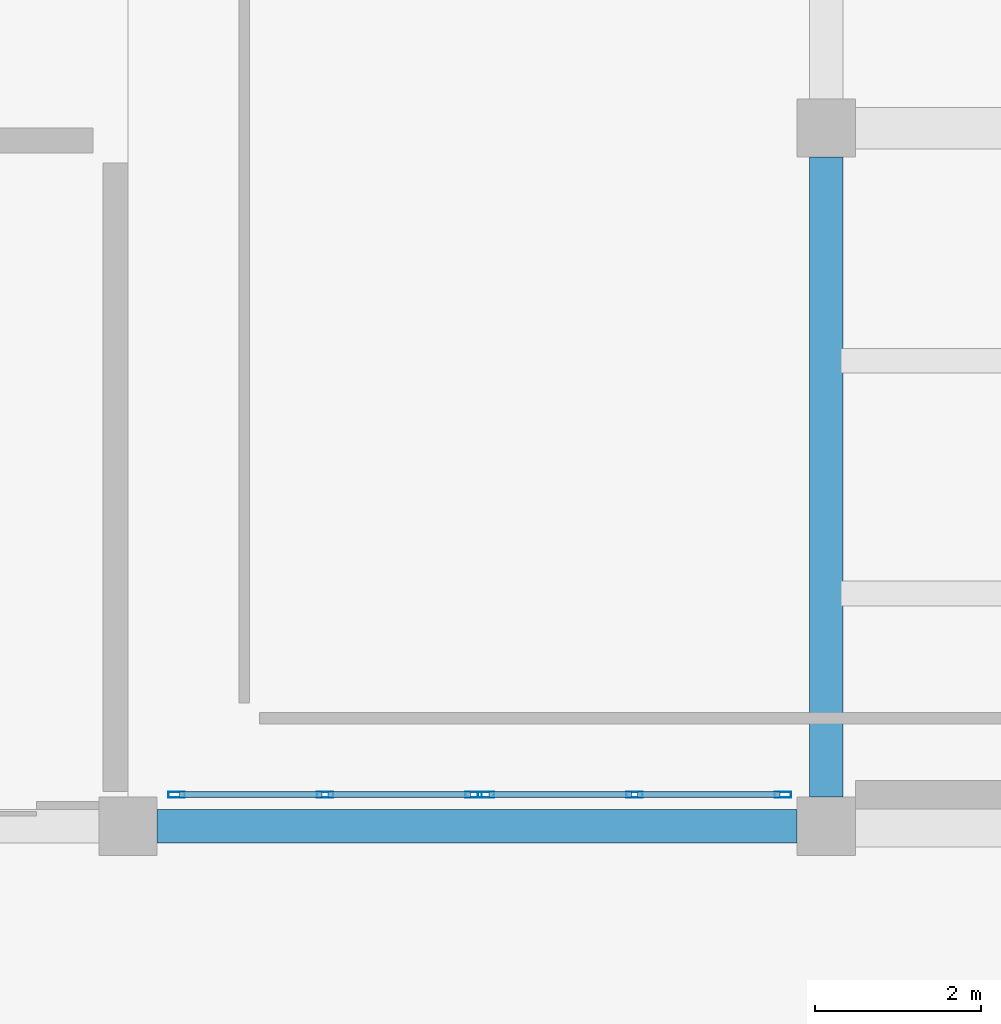
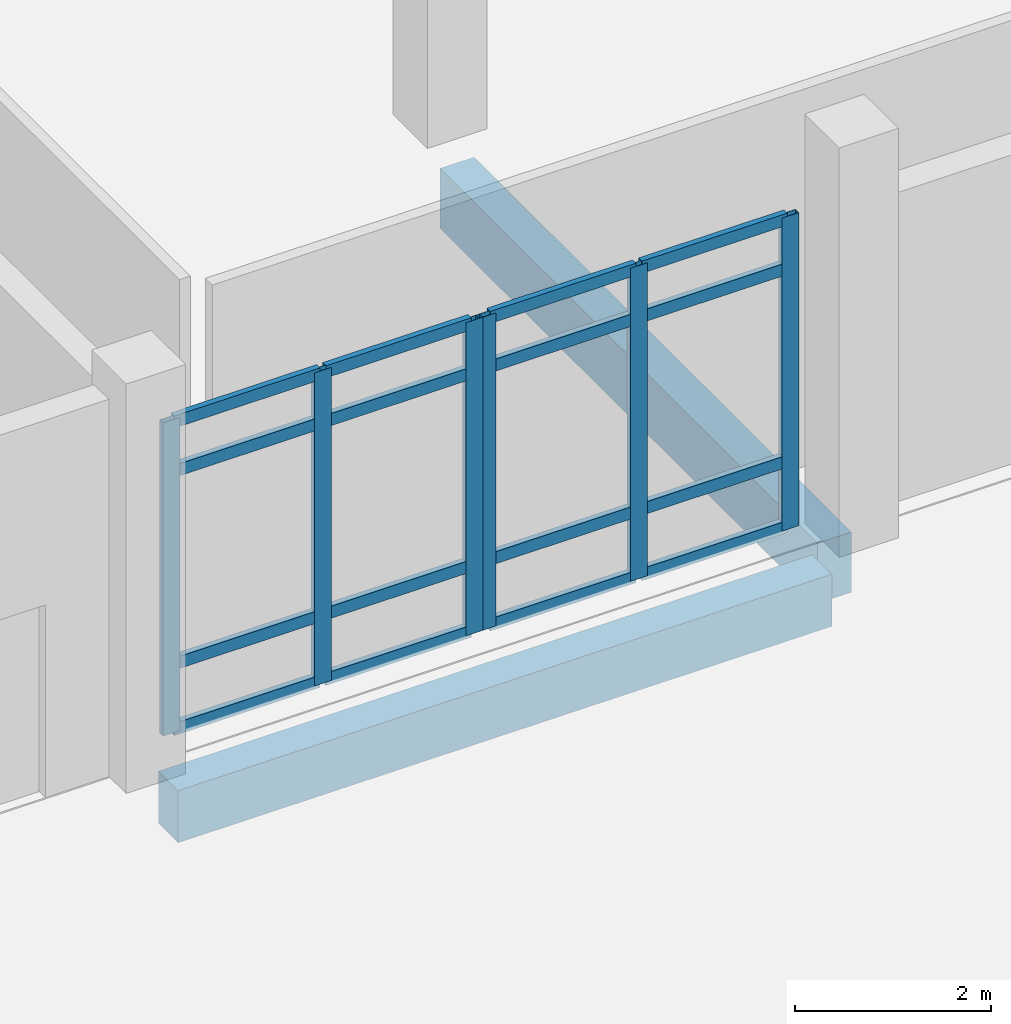
# One storey, part 14 of 64: 22 members, 2 beams, 2 elements without a shape of their own.
"""IFC4 building model written with IfcOpenShell, lengths in metres."""

from ifc_helpers import new_model, si_unit, derived_unit, direction, frame, origin, origin_2d, place, context, subcontext, project, spatial, rectangle, hollow_rectangle, extrude, material, layer, layer_set, material_profile, profile_set, type_object, element, aggregate, save


model = new_model("IFC4")

# Units and contexts
model_context = context("Model", 3, precision=1e-05, world=origin(), true_north=direction((0.0, 1.0)))
body_context = subcontext(model_context, "Body", "Model", "MODEL_VIEW")
ifc_project = project(units=[si_unit("LENGTHUNIT", "METRE"), si_unit("AREAUNIT", "SQUARE_METRE"), si_unit("VOLUMEUNIT", "CUBIC_METRE"), si_unit("PLANEANGLEUNIT", "RADIAN"), si_unit("MASSUNIT", "GRAM", prefix="KILO"), derived_unit("THERMALTRANSMITTANCEUNIT", [(si_unit("POWERUNIT", "WATT"), 1), (si_unit("LENGTHUNIT", "METRE"), -2), (si_unit("THERMODYNAMICTEMPERATUREUNIT", "KELVIN"), -1)])], contexts=[model_context])

# Site, building, storey
site_placement = place(None, origin())
site = spatial("IfcSite", under=ifc_project, at=site_placement, CompositionType="ELEMENT")
building_placement = place(site_placement, origin())
building = spatial("IfcBuilding", under=site, at=building_placement, Name="Elbkamm Science Centre", CompositionType="ELEMENT")
storey_placement = place(building_placement, origin())
storey = spatial("IfcBuildingStorey", under=building, at=storey_placement, Name="L00", CompositionType="ELEMENT", Elevation=0.0)

# Beams
ifc_material_1 = material(Name="Concrete C40/50", Category="concrete")
ifc_material_profile_1 = material_profile(ifc_material_1, rectangle(XDim=0.39990234375, YDim=0.64990234375, at=origin_2d()), Name="RC 400x650")
ifc_profile_set_1 = profile_set([ifc_material_profile_1], Name="Concrete C40/50")
beam_type_1 = type_object("IfcBeamType", Name="BM-RC-400x650", PredefinedType="BEAM", material=ifc_profile_set_1)
beam_1_placement = place(storey_placement, frame((143.14990234375, 25.199951171875, -0.625), z_axis=(1.0, 0.0, 0.0), x_axis=(0.0, 1.0, 0.0)))
element("IfcBeam", 1, at=beam_1_placement, inside=storey, type_object=beam_type_1, Name="L00 Primary X-Girder 027", PredefinedType="BEAM", context=body_context, shape_type="SweptSolid", body=[
    extrude(rectangle(XDim=0.39990234375, YDim=0.64990234375, at=origin_2d()), origin(), (0.0, 0.0, 1.0), 7.7001953125),
])
ifc_material_profile_2 = material_profile(ifc_material_1, rectangle(XDim=0.39990234375, YDim=0.75, at=origin_2d()), Name="RC 400x750")
ifc_profile_set_2 = profile_set([ifc_material_profile_2], Name="Concrete C40/50")
beam_type_2 = type_object("IfcBeamType", Name="BM-RC-400x750", PredefinedType="BEAM", material=ifc_profile_set_2)
beam_2_placement = place(storey_placement, frame((151.199951171875, 25.550048828125, -0.675048828125), z_axis=(0.0, 1.0, 0.0), x_axis=(-1.0, 0.0, 0.0)))
element("IfcBeam", 2, at=beam_2_placement, inside=storey, type_object=beam_type_2, Name="L00 Primary Y-Girder 068", PredefinedType="BEAM", context=body_context, shape_type="SweptSolid", body=[
    extrude(rectangle(XDim=0.39990234375, YDim=0.75, at=origin_2d()), origin(), (0.0, 0.0, 1.0), 7.699951171875),
])

# Curtain wall, members
ifc_material_2 = material(Name="Powder-coated aluminium and triple low-E glazing", Category="aluminium")
ifc_layer = layer(ifc_material_2, 0.159912109375)
ifc_layer_set = layer_set([ifc_layer], Name="Powder-coated aluminium and triple low-E glazing")
curtain_wall_type = type_object("IfcCurtainWallType", Name="CW-UNIT-3640x3900", PredefinedType="USERDEFINED", material=ifc_layer_set)
curtain_wall_1_placement = place(storey_placement, origin())
curtain_wall_1 = element("IfcCurtainWall", 3, at=curtain_wall_1_placement, inside=storey, type_object=curtain_wall_type, Name="L00 Unitised Curtain Wall 130", ObjectType="UNITISED CURTAIN WALL", PredefinedType="USERDEFINED")
ifc_material_3 = material(Name="Powder-coated aluminium EN AW-6060", Category="aluminium")
ifc_material_profile_3 = material_profile(ifc_material_3, hollow_rectangle(XDim=0.070068359375, YDim=0.199951171875, WallThickness=0.00439453125, at=origin_2d()), Name="ALU M70x200")
ifc_profile_set_3 = profile_set([ifc_material_profile_3], Name="Powder-coated aluminium EN AW-6060")
member_type_1 = type_object("IfcMemberType", Name="CW-MUL-70x200", PredefinedType="MULLION", material=ifc_profile_set_3)
member_1_placement = place(storey_placement, frame((150.6787109375, 25.580078125, 0.0), z_axis=(0.0, 0.0, 1.0), x_axis=(0.0, -1.0, 0.0)))
member_1 = element("IfcMember", 4, at=member_1_placement, type_object=member_type_1, Name="CW-065 mullion 1", PredefinedType="MULLION", context=body_context, shape_type="SweptSolid", body=[
    extrude(hollow_rectangle(XDim=0.070068359375, YDim=0.199951171875, WallThickness=0.00439453125, at=origin_2d()), origin(), (0.0, 0.0, 1.0), 3.89990234375),
])
member_2_placement = place(storey_placement, frame((148.892822265625, 25.580078125, 0.0), z_axis=(0.0, 0.0, 1.0), x_axis=(0.0, -1.0, 0.0)))
member_2 = element("IfcMember", 5, at=member_2_placement, type_object=member_type_1, Name="CW-065 mullion 2", PredefinedType="MULLION", context=body_context, shape_type="SweptSolid", body=[
    extrude(hollow_rectangle(XDim=0.070068359375, YDim=0.199951171875, WallThickness=0.00439453125, at=origin_2d()), origin(), (0.0, 0.0, 1.0), 3.89990234375),
])
member_3_placement = place(storey_placement, frame((147.106689453125, 25.580078125, 0.0), z_axis=(0.0, 0.0, 1.0), x_axis=(0.0, -1.0, 0.0)))
member_3 = element("IfcMember", 6, at=member_3_placement, type_object=member_type_1, Name="CW-065 mullion 3", PredefinedType="MULLION", context=body_context, shape_type="SweptSolid", body=[
    extrude(hollow_rectangle(XDim=0.070068359375, YDim=0.199951171875, WallThickness=0.00439453125, at=origin_2d()), origin(), (0.0, 0.0, 1.0), 3.89990234375),
])

curtain_wall_2_placement = place(storey_placement, origin())
curtain_wall_2 = element("IfcCurtainWall", 7, at=curtain_wall_2_placement, inside=storey, type_object=curtain_wall_type, Name="L00 Unitised Curtain Wall 131", ObjectType="UNITISED CURTAIN WALL", PredefinedType="USERDEFINED")
member_4_placement = place(storey_placement, frame((146.956787109375, 25.580078125, 0.0), z_axis=(0.0, 0.0, 1.0), x_axis=(0.0, -1.0, 0.0)))
member_4 = element("IfcMember", 8, at=member_4_placement, type_object=member_type_1, Name="CW-065 mullion 1", PredefinedType="MULLION", context=body_context, shape_type="SweptSolid", body=[
    extrude(hollow_rectangle(XDim=0.070068359375, YDim=0.199951171875, WallThickness=0.00439453125, at=origin_2d()), origin(), (0.0, 0.0, 1.0), 3.89990234375),
])
member_5_placement = place(storey_placement, frame((145.1708984375, 25.580078125, 0.0), z_axis=(0.0, 0.0, 1.0), x_axis=(0.0, -1.0, 0.0)))
member_5 = element("IfcMember", 9, at=member_5_placement, type_object=member_type_1, Name="CW-065 mullion 2", PredefinedType="MULLION", context=body_context, shape_type="SweptSolid", body=[
    extrude(hollow_rectangle(XDim=0.070068359375, YDim=0.199951171875, WallThickness=0.00439453125, at=origin_2d()), origin(), (0.0, 0.0, 1.0), 3.89990234375),
])
member_6_placement = place(storey_placement, frame((143.385009765625, 25.580078125, 0.0), z_axis=(0.0, 0.0, 1.0), x_axis=(0.0, -1.0, 0.0)))
member_6 = element("IfcMember", 10, at=member_6_placement, type_object=member_type_1, Name="CW-065 mullion 3", PredefinedType="MULLION", context=body_context, shape_type="SweptSolid", body=[
    extrude(hollow_rectangle(XDim=0.070068359375, YDim=0.199951171875, WallThickness=0.00439453125, at=origin_2d()), origin(), (0.0, 0.0, 1.0), 3.89990234375),
])

# Member
ifc_material_profile_4 = material_profile(ifc_material_3, hollow_rectangle(XDim=0.070068359375, YDim=0.14990234375, WallThickness=0.00390625, at=origin_2d()), Name="ALU T70x150")
ifc_profile_set_4 = profile_set([ifc_material_profile_4], Name="Powder-coated aluminium EN AW-6060")
member_type_2 = type_object("IfcMemberType", Name="CW-TRN-70x150", PredefinedType="USERDEFINED", material=ifc_profile_set_4)
member_7_placement = place(storey_placement, frame((150.643798828125, 25.580078125, 0.034912109375), z_axis=(-1.0, 0.0, 0.0), x_axis=(0.0, -1.0, 0.0)))
member_7 = element("IfcMember", 11, at=member_7_placement, type_object=member_type_2, Name="CW-065 transom 1.1", ObjectType="TRANSOM", PredefinedType="USERDEFINED", context=body_context, shape_type="SweptSolid", body=[
    extrude(hollow_rectangle(XDim=0.070068359375, YDim=0.14990234375, WallThickness=0.00390625, at=origin_2d()), origin(), (0.0, 0.0, 1.0), 1.716064453125),
])

member_8_placement = place(storey_placement, frame((150.643798828125, 25.580078125, 0.85009765625), z_axis=(-1.0, 0.0, 0.0), x_axis=(0.0, -1.0, 0.0)))
member_8 = element("IfcMember", 12, at=member_8_placement, type_object=member_type_2, Name="CW-065 transom 1.2", ObjectType="TRANSOM", PredefinedType="USERDEFINED", context=body_context, shape_type="SweptSolid", body=[
    extrude(hollow_rectangle(XDim=0.070068359375, YDim=0.14990234375, WallThickness=0.00390625, at=origin_2d()), origin(), (0.0, 0.0, 1.0), 1.716064453125),
])

member_9_placement = place(storey_placement, frame((150.643798828125, 25.580078125, 3.25), z_axis=(-1.0, 0.0, 0.0), x_axis=(0.0, -1.0, 0.0)))
member_9 = element("IfcMember", 13, at=member_9_placement, type_object=member_type_2, Name="CW-065 transom 1.3", ObjectType="TRANSOM", PredefinedType="USERDEFINED", context=body_context, shape_type="SweptSolid", body=[
    extrude(hollow_rectangle(XDim=0.070068359375, YDim=0.14990234375, WallThickness=0.00390625, at=origin_2d()), origin(), (0.0, 0.0, 1.0), 1.716064453125),
])

member_10_placement = place(storey_placement, frame((150.643798828125, 25.580078125, 3.864990234375), z_axis=(-1.0, 0.0, 0.0), x_axis=(0.0, -1.0, 0.0)))
member_10 = element("IfcMember", 14, at=member_10_placement, type_object=member_type_2, Name="CW-065 transom 1.4", ObjectType="TRANSOM", PredefinedType="USERDEFINED", context=body_context, shape_type="SweptSolid", body=[
    extrude(hollow_rectangle(XDim=0.070068359375, YDim=0.14990234375, WallThickness=0.00390625, at=origin_2d()), origin(), (0.0, 0.0, 1.0), 1.716064453125),
])

member_11_placement = place(storey_placement, frame((148.857666015625, 25.580078125, 0.034912109375), z_axis=(-1.0, 0.0, 0.0), x_axis=(0.0, -1.0, 0.0)))
member_11 = element("IfcMember", 15, at=member_11_placement, type_object=member_type_2, Name="CW-065 transom 2.1", ObjectType="TRANSOM", PredefinedType="USERDEFINED", context=body_context, shape_type="SweptSolid", body=[
    extrude(hollow_rectangle(XDim=0.070068359375, YDim=0.14990234375, WallThickness=0.00390625, at=origin_2d()), origin(), (0.0, 0.0, 1.0), 1.7158203125),
])

member_12_placement = place(storey_placement, frame((148.857666015625, 25.580078125, 0.85009765625), z_axis=(-1.0, 0.0, 0.0), x_axis=(0.0, -1.0, 0.0)))
member_12 = element("IfcMember", 16, at=member_12_placement, type_object=member_type_2, Name="CW-065 transom 2.2", ObjectType="TRANSOM", PredefinedType="USERDEFINED", context=body_context, shape_type="SweptSolid", body=[
    extrude(hollow_rectangle(XDim=0.070068359375, YDim=0.14990234375, WallThickness=0.00390625, at=origin_2d()), origin(), (0.0, 0.0, 1.0), 1.7158203125),
])

member_13_placement = place(storey_placement, frame((148.857666015625, 25.580078125, 3.25), z_axis=(-1.0, 0.0, 0.0), x_axis=(0.0, -1.0, 0.0)))
member_13 = element("IfcMember", 17, at=member_13_placement, type_object=member_type_2, Name="CW-065 transom 2.3", ObjectType="TRANSOM", PredefinedType="USERDEFINED", context=body_context, shape_type="SweptSolid", body=[
    extrude(hollow_rectangle(XDim=0.070068359375, YDim=0.14990234375, WallThickness=0.00390625, at=origin_2d()), origin(), (0.0, 0.0, 1.0), 1.7158203125),
])

member_14_placement = place(storey_placement, frame((148.857666015625, 25.580078125, 3.864990234375), z_axis=(-1.0, 0.0, 0.0), x_axis=(0.0, -1.0, 0.0)))
member_14 = element("IfcMember", 18, at=member_14_placement, type_object=member_type_2, Name="CW-065 transom 2.4", ObjectType="TRANSOM", PredefinedType="USERDEFINED", context=body_context, shape_type="SweptSolid", body=[
    extrude(hollow_rectangle(XDim=0.070068359375, YDim=0.14990234375, WallThickness=0.00390625, at=origin_2d()), origin(), (0.0, 0.0, 1.0), 1.7158203125),
])

aggregate(curtain_wall_1, [member_1, member_2, member_3, member_7, member_8, member_9, member_10, member_11, member_12, member_13, member_14])

member_15_placement = place(storey_placement, frame((146.921875, 25.580078125, 0.034912109375), z_axis=(-1.0, 0.0, 0.0), x_axis=(0.0, -1.0, 0.0)))
member_15 = element("IfcMember", 19, at=member_15_placement, type_object=member_type_2, Name="CW-065 transom 1.1", ObjectType="TRANSOM", PredefinedType="USERDEFINED", context=body_context, shape_type="SweptSolid", body=[
    extrude(hollow_rectangle(XDim=0.070068359375, YDim=0.14990234375, WallThickness=0.00390625, at=origin_2d()), origin(), (0.0, 0.0, 1.0), 1.716064453125),
])

member_16_placement = place(storey_placement, frame((146.921875, 25.580078125, 0.85009765625), z_axis=(-1.0, 0.0, 0.0), x_axis=(0.0, -1.0, 0.0)))
member_16 = element("IfcMember", 20, at=member_16_placement, type_object=member_type_2, Name="CW-065 transom 1.2", ObjectType="TRANSOM", PredefinedType="USERDEFINED", context=body_context, shape_type="SweptSolid", body=[
    extrude(hollow_rectangle(XDim=0.070068359375, YDim=0.14990234375, WallThickness=0.00390625, at=origin_2d()), origin(), (0.0, 0.0, 1.0), 1.716064453125),
])

member_17_placement = place(storey_placement, frame((146.921875, 25.580078125, 3.25), z_axis=(-1.0, 0.0, 0.0), x_axis=(0.0, -1.0, 0.0)))
member_17 = element("IfcMember", 21, at=member_17_placement, type_object=member_type_2, Name="CW-065 transom 1.3", ObjectType="TRANSOM", PredefinedType="USERDEFINED", context=body_context, shape_type="SweptSolid", body=[
    extrude(hollow_rectangle(XDim=0.070068359375, YDim=0.14990234375, WallThickness=0.00390625, at=origin_2d()), origin(), (0.0, 0.0, 1.0), 1.716064453125),
])

member_18_placement = place(storey_placement, frame((146.921875, 25.580078125, 3.864990234375), z_axis=(-1.0, 0.0, 0.0), x_axis=(0.0, -1.0, 0.0)))
member_18 = element("IfcMember", 22, at=member_18_placement, type_object=member_type_2, Name="CW-065 transom 1.4", ObjectType="TRANSOM", PredefinedType="USERDEFINED", context=body_context, shape_type="SweptSolid", body=[
    extrude(hollow_rectangle(XDim=0.070068359375, YDim=0.14990234375, WallThickness=0.00390625, at=origin_2d()), origin(), (0.0, 0.0, 1.0), 1.716064453125),
])

member_19_placement = place(storey_placement, frame((145.135986328125, 25.580078125, 0.034912109375), z_axis=(-1.0, 0.0, 0.0), x_axis=(0.0, -1.0, 0.0)))
member_19 = element("IfcMember", 23, at=member_19_placement, type_object=member_type_2, Name="CW-065 transom 2.1", ObjectType="TRANSOM", PredefinedType="USERDEFINED", context=body_context, shape_type="SweptSolid", body=[
    extrude(hollow_rectangle(XDim=0.070068359375, YDim=0.14990234375, WallThickness=0.00390625, at=origin_2d()), origin(), (0.0, 0.0, 1.0), 1.716064453125),
])

member_20_placement = place(storey_placement, frame((145.135986328125, 25.580078125, 0.85009765625), z_axis=(-1.0, 0.0, 0.0), x_axis=(0.0, -1.0, 0.0)))
member_20 = element("IfcMember", 24, at=member_20_placement, type_object=member_type_2, Name="CW-065 transom 2.2", ObjectType="TRANSOM", PredefinedType="USERDEFINED", context=body_context, shape_type="SweptSolid", body=[
    extrude(hollow_rectangle(XDim=0.070068359375, YDim=0.14990234375, WallThickness=0.00390625, at=origin_2d()), origin(), (0.0, 0.0, 1.0), 1.716064453125),
])

member_21_placement = place(storey_placement, frame((145.135986328125, 25.580078125, 3.25), z_axis=(-1.0, 0.0, 0.0), x_axis=(0.0, -1.0, 0.0)))
member_21 = element("IfcMember", 25, at=member_21_placement, type_object=member_type_2, Name="CW-065 transom 2.3", ObjectType="TRANSOM", PredefinedType="USERDEFINED", context=body_context, shape_type="SweptSolid", body=[
    extrude(hollow_rectangle(XDim=0.070068359375, YDim=0.14990234375, WallThickness=0.00390625, at=origin_2d()), origin(), (0.0, 0.0, 1.0), 1.716064453125),
])

member_22_placement = place(storey_placement, frame((145.135986328125, 25.580078125, 3.864990234375), z_axis=(-1.0, 0.0, 0.0), x_axis=(0.0, -1.0, 0.0)))
member_22 = element("IfcMember", 26, at=member_22_placement, type_object=member_type_2, Name="CW-065 transom 2.4", ObjectType="TRANSOM", PredefinedType="USERDEFINED", context=body_context, shape_type="SweptSolid", body=[
    extrude(hollow_rectangle(XDim=0.070068359375, YDim=0.14990234375, WallThickness=0.00390625, at=origin_2d()), origin(), (0.0, 0.0, 1.0), 1.716064453125),
])

aggregate(curtain_wall_2, [member_4, member_5, member_6, member_15, member_16, member_17, member_18, member_19, member_20, member_21, member_22])

save(model, "model.ifc")
